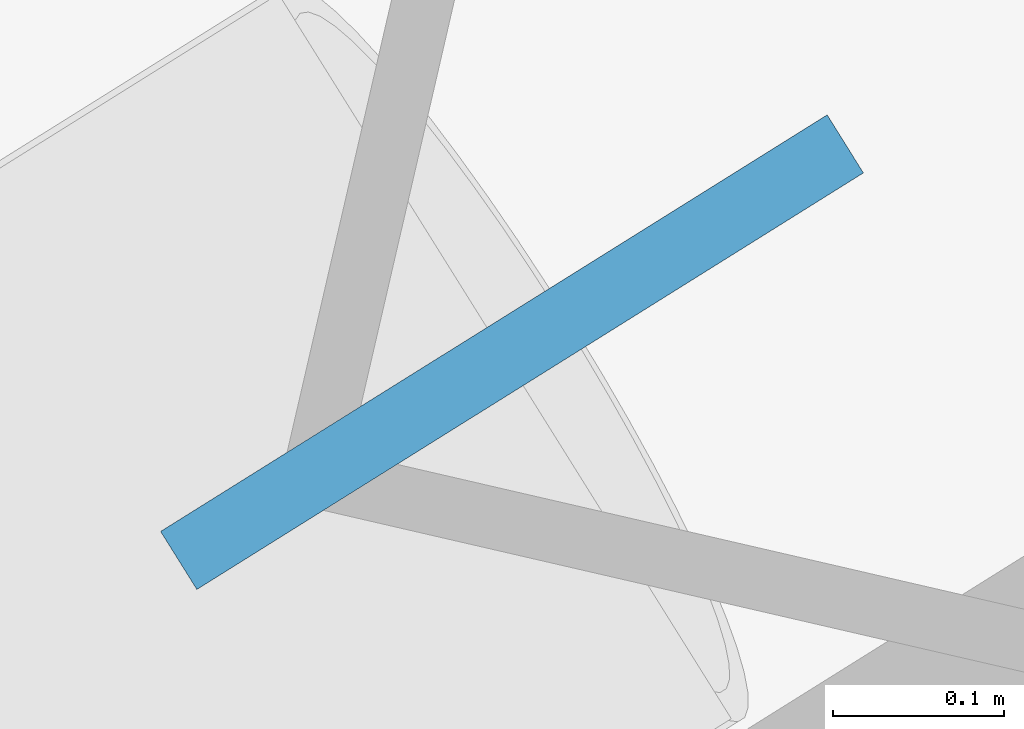
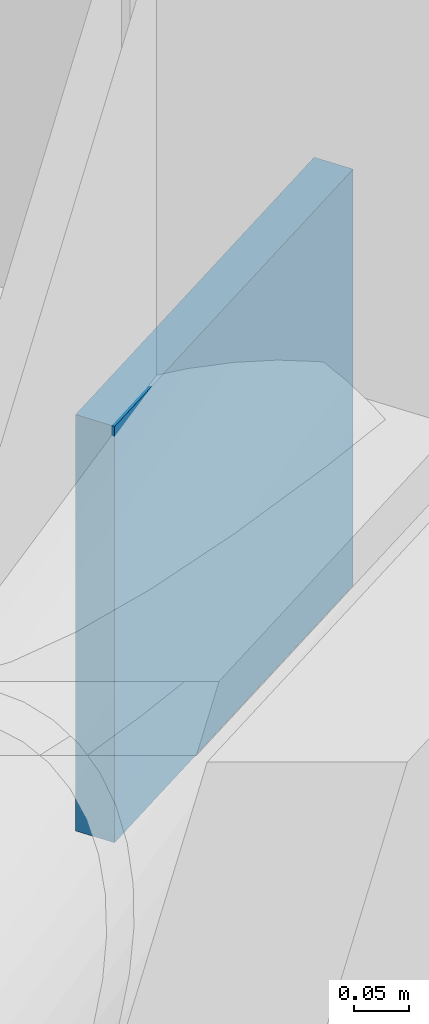
# One storey, part 16 of 19: 1 discrete accessory.
"""IFC4 building model written with IfcOpenShell, lengths in metres."""

import ifcopenshell
import ifcopenshell.guid

model = None  # the IFC model being written
_history = None  # IfcOwnerHistory: only IFC2X3 demands one
_inside = {}  # id of a spatial element -> (the spatial element, [elements in it])
_under = {}  # id of a project, library or spatial element -> (it, [spatial elements below it])
_declared = {}  # id of a project -> (the project, [libraries it declares])
_typed = {}  # id of a type object -> (the type object, [elements of that type])
_made_of = {}  # id of a material, layer set ... -> (it, [elements and type objects made of it])


def new_model(schema):
    """Start an empty IFC model of exactly this schema.

    Asked for "IFC4X3", IfcOpenShell would pick the latest addendum, in which some entities
    have other attributes; the version numbers below select the first issue.
    IFC2X3 requires an IfcOwnerHistory on every rooted entity: one is made here for all.
    """
    global model, _history
    if schema == "IFC4X3":
        model = ifcopenshell.file(schema_version=(4, 3, 0, 0))
    else:
        model = ifcopenshell.file(schema=schema)
    _inside.clear()
    _under.clear()
    _declared.clear()
    _typed.clear()
    _made_of.clear()
    _history = None
    if model.schema == "IFC2X3":
        org = make("IfcOrganization", Name="unknown")
        user = make(
            "IfcPersonAndOrganization",
            ThePerson=make("IfcPerson", FamilyName="unknown"),
            TheOrganization=org,
        )
        app = make(
            "IfcApplication",
            ApplicationDeveloper=org,
            Version="unknown",
            ApplicationFullName="unknown",
            ApplicationIdentifier="unknown",
        )
        _history = make(
            "IfcOwnerHistory",
            OwningUser=user,
            OwningApplication=app,
            ChangeAction="ADDED",
            CreationDate=0,
        )
    return model


def make(cls, **values):
    """One entity of the class cls with the attributes given. An attribute that is None is left unset."""
    return model.create_entity(
        cls, **{name: value for name, value in values.items() if value is not None}
    )


def rooted(cls, **values):
    """An entity with a GlobalId (a new one), such as an element, a storey or a relation."""
    return make(cls, GlobalId=ifcopenshell.guid.new(), OwnerHistory=_history, **values)


def si_unit(unit_type, name, prefix=None):
    """IfcSIUnit, for example si_unit("LENGTHUNIT", "METRE", prefix="MILLI")."""
    return make("IfcSIUnit", UnitType=unit_type, Prefix=prefix, Name=name)


def assignment(units):
    """IfcUnitAssignment: the units of a project."""
    return None if units is None else make("IfcUnitAssignment", Units=units)


def point(xyz):
    """IfcCartesianPoint."""
    return None if xyz is None else make("IfcCartesianPoint", Coordinates=xyz)


def direction(xyz):
    """IfcDirection."""
    return None if xyz is None else make("IfcDirection", DirectionRatios=xyz)


def frame(location, z_axis=None, x_axis=None):
    """IfcAxis2Placement3D, a coordinate frame: its origin and axes. An axis left out is left unset."""
    return make(
        "IfcAxis2Placement3D",
        Location=point(location),
        Axis=direction(z_axis),
        RefDirection=direction(x_axis),
    )


def frame_2d(location, x_axis=None):
    """IfcAxis2Placement2D, a coordinate frame in the plane: its origin and x axis."""
    return make(
        "IfcAxis2Placement2D", Location=point(location), RefDirection=direction(x_axis)
    )


def origin():
    """The frame at (0, 0, 0) with its axes left unset."""
    return frame((0.0, 0.0, 0.0))


def origin_2d():
    """The frame at (0, 0) in the plane with its x axis left unset."""
    return frame_2d((0.0, 0.0))


def place(relative_to, where):
    """IfcLocalPlacement: puts the frame where relative to a parent placement (None: the world)."""
    return make(
        "IfcLocalPlacement", PlacementRelTo=relative_to, RelativePlacement=where
    )


def context(
    kind, dimensions, precision=None, world=None, true_north=None, identifier=None
):
    """IfcGeometricRepresentationContext, for example the 3D "Model" context."""
    return make(
        "IfcGeometricRepresentationContext",
        ContextIdentifier=identifier,
        ContextType=kind,
        CoordinateSpaceDimension=dimensions,
        Precision=precision,
        WorldCoordinateSystem=world,
        TrueNorth=true_north,
    )


def subcontext(parent, identifier, kind, view, scale=None):
    """IfcGeometricRepresentationSubContext, for example "Body" below "Model"."""
    return make(
        "IfcGeometricRepresentationSubContext",
        ContextIdentifier=identifier,
        ContextType=kind,
        ParentContext=parent,
        TargetScale=scale,
        TargetView=view,
    )


def project(units=None, contexts=None):
    """IfcProject with its units and contexts."""
    return rooted(
        "IfcProject",
        Name="project",
        RepresentationContexts=contexts,
        UnitsInContext=assignment(units),
    )


def spatial(cls, under=None, at=None, **own):
    """A site, building, storey or space (cls), placed at a placement, below another one or the project."""
    s = rooted(cls, ObjectPlacement=at, **own)
    if under is not None:
        _under.setdefault(under.id(), (under, []))[1].append(s)
    return s


def profile(cls, at=None, kind="AREA", **sizes):
    """A parametric profile (cls). Its sizes go by their IFC names, for example OverallWidth=200.0."""
    return make(cls, ProfileType=kind, Position=at, **sizes)


def rectangle(**sizes):
    """IfcRectangleProfileDef."""
    return profile("IfcRectangleProfileDef", **sizes)


def extrude(swept, where, along, depth):
    """IfcExtrudedAreaSolid: the profile swept, set in the frame where, extruded along a direction by depth."""
    return make(
        "IfcExtrudedAreaSolid",
        SweptArea=swept,
        Position=where,
        ExtrudedDirection=direction(along),
        Depth=depth,
    )


def shape(context_of_items, identifier, shape_type, items):
    """IfcShapeRepresentation: the items that make up one representation, for example the "Body"."""
    return make(
        "IfcShapeRepresentation",
        ContextOfItems=context_of_items,
        RepresentationIdentifier=identifier,
        RepresentationType=shape_type,
        Items=items,
    )


def material(Name=None, Category=None):
    """IfcMaterial."""
    return make("IfcMaterial", Name=Name, Category=Category)


def made_of(thing, what):
    """Note that an element or type object is made of a material, layer set ...; save() writes the relation."""
    if what is not None:
        _made_of.setdefault(what.id(), (what, []))[1].append(thing)
    return thing


def type_object(cls, material=None, **own):
    """A type object (cls), such as IfcWallType, which elements share."""
    return made_of(rooted(cls, **own), material)


def element(
    cls,
    number,
    at=None,
    inside=None,
    cuts=None,
    type_object=None,
    material=None,
    context=None,
    identifier="Body",
    shape_type=None,
    held_by="IfcProductDefinitionShape",
    body=None,
    shapes=None,
    **own,
):
    """One element of the class cls, such as IfcWall. Its Tag is "e" and its number.

    at: its placement. inside: the storey or other place that contains it. cuts: it is an
    opening in that element (IfcRelVoidsElement). A single representation is given by context,
    identifier, shape_type and body (its items); several are given by shapes. held_by: the class
    of the entity that holds the representations. save() writes the other relations.
    """
    e = rooted(cls, Tag="e%d" % number, ObjectPlacement=at, **own)
    if body is not None:
        shapes = [shape(context, identifier, shape_type, body)]
    if shapes is not None:
        e.Representation = make(held_by, Representations=shapes)
    if inside is not None:
        _inside.setdefault(inside.id(), (inside, []))[1].append(e)
    if cuts is not None:
        rooted(
            "IfcRelVoidsElement", RelatingBuildingElement=cuts, RelatedOpeningElement=e
        )
    if type_object is not None:
        _typed.setdefault(type_object.id(), (type_object, []))[1].append(e)
    return made_of(e, material)


def aggregate(whole, parts):
    """IfcRelAggregates: a whole, such as a stair, and the parts it consists of."""
    return rooted("IfcRelAggregates", RelatingObject=whole, RelatedObjects=parts)


def save(model, path):
    """Write the relations noted so far, then the file.

    IfcRelAggregates (storeys below a building ...), IfcRelContainedInSpatialStructure (elements
    in a storey), IfcRelDefinesByType, IfcRelAssociatesMaterial and IfcRelDeclares: one each for
    every whole, place, type object, material and project.
    """
    for whole, parts in _under.values():
        aggregate(whole, parts)
    for where, things in _inside.values():
        rooted(
            "IfcRelContainedInSpatialStructure",
            RelatedElements=things,
            RelatingStructure=where,
        )
    for kind, things in _typed.values():
        rooted("IfcRelDefinesByType", RelatedObjects=things, RelatingType=kind)
    for what, things in _made_of.values():
        rooted("IfcRelAssociatesMaterial", RelatedObjects=things, RelatingMaterial=what)
    for by, libraries in _declared.values():
        rooted("IfcRelDeclares", RelatingContext=by, RelatedDefinitions=libraries)
    model.write(path)


model = new_model("IFC4")

# Units and contexts
model_context = context("Model", 3, precision=1e-05, world=origin(), true_north=direction((0.0, 1.0)))
body_context = subcontext(model_context, "Body", "Model", "MODEL_VIEW")
ifc_project = project(units=[si_unit("LENGTHUNIT", "METRE"), si_unit("AREAUNIT", "SQUARE_METRE"), si_unit("VOLUMEUNIT", "CUBIC_METRE"), si_unit("PLANEANGLEUNIT", "RADIAN"), si_unit("MASSUNIT", "GRAM", prefix="KILO")], contexts=[model_context])

# Site, building, storey
site_placement = place(None, origin())
site = spatial("IfcSite", under=ifc_project, at=site_placement, CompositionType="ELEMENT")
building_placement = place(site_placement, origin())
building = spatial("IfcBuilding", under=site, at=building_placement, Name="Tavrogorsk Clinical Tower", CompositionType="ELEMENT")
storey_placement = place(building_placement, frame((0.0, 0.0, 79.39990234375)))
storey = spatial("IfcBuildingStorey", under=building, at=storey_placement, Name="L17", CompositionType="ELEMENT", Elevation=79.39990234375)

# Discrete accessory
ifc_material = material(Name="Structural steel S440", Category="steel")
discrete_accessory_type = type_object("IfcDiscreteAccessoryType", Name="GussetPlateBracket_25", PredefinedType="BRACKET", material=ifc_material)
discrete_accessory_placement = place(storey_placement, frame((-30.381591796875, 29.94287109375, 1.13818359375), z_axis=(0.0, 0.0, 1.0), x_axis=(0.848048096156, 0.529919264233, 0.0)))
element("IfcDiscreteAccessory", 1, at=discrete_accessory_placement, inside=storey, type_object=discrete_accessory_type, Name="L17 Brace Gusset Plate EXOCRN-L17-3-B", PredefinedType="BRACKET", context=body_context, shape_type="SweptSolid", body=[
    extrude(rectangle(XDim=0.4599609375, YDim=0.0400390625, at=origin_2d()), origin(), (0.0, 0.0, 1.0), 0.4599609375),
])

save(model, "model.ifc")
